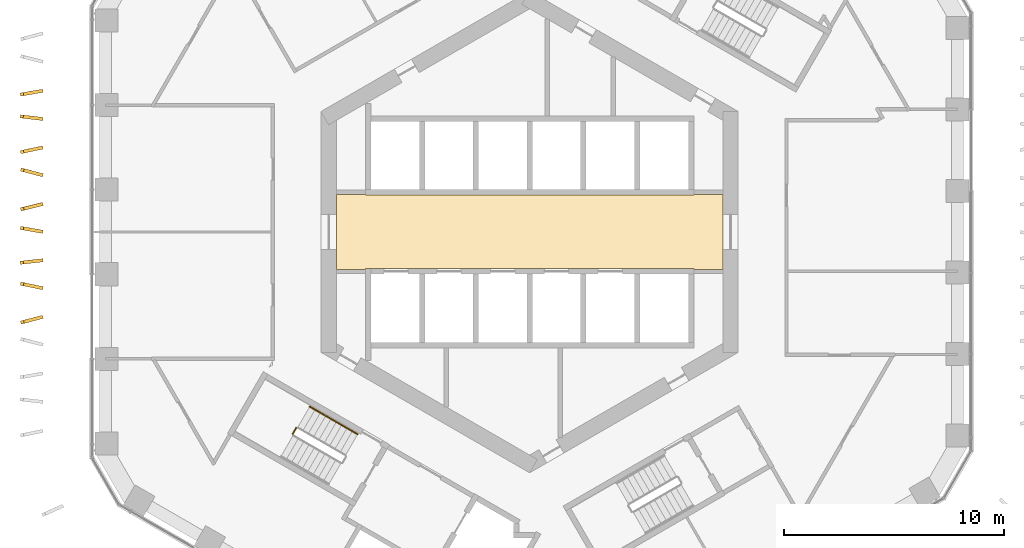
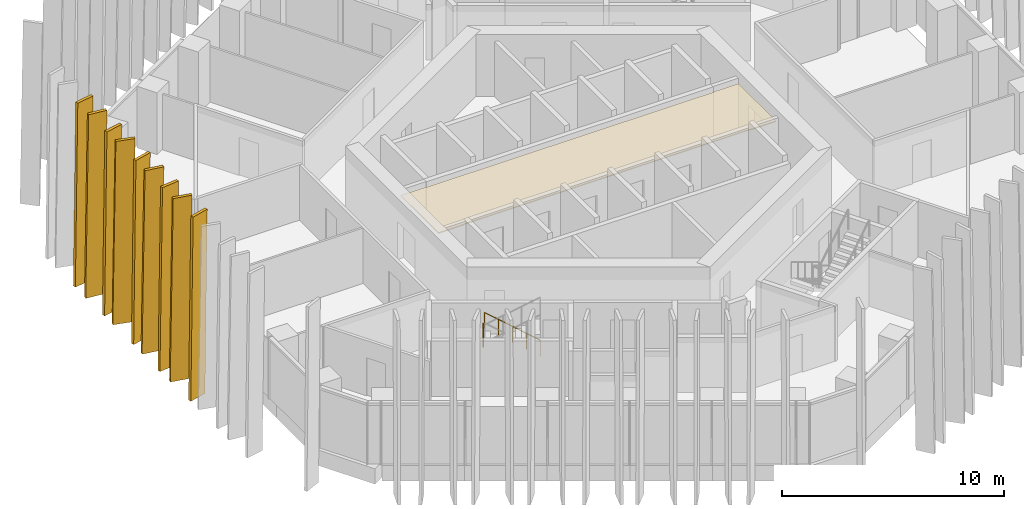
# One storey, part 17 of 19: 9 shading devices, 3 railings, 1 covering.
"""IFC4 building model written with IfcOpenShell, lengths in metres."""

from ifc_helpers import new_model, si_unit, direction, frame, origin, origin_2d, place, context, subcontext, project, spatial, polyline, circle, outline, extrude, material, layer, layer_set, type_object, element, save


model = new_model("IFC4")

# Units and contexts
model_context = context("Model", 3, precision=1e-05, world=origin(), true_north=direction((0.0, 1.0)))
body_context = subcontext(model_context, "Body", "Model", "MODEL_VIEW")
ifc_project = project(units=[si_unit("LENGTHUNIT", "METRE"), si_unit("AREAUNIT", "SQUARE_METRE"), si_unit("VOLUMEUNIT", "CUBIC_METRE"), si_unit("PLANEANGLEUNIT", "RADIAN"), si_unit("MASSUNIT", "GRAM", prefix="KILO")], contexts=[model_context])

# Site, building, storey
site_placement = place(None, origin())
site = spatial("IfcSite", under=ifc_project, at=site_placement, CompositionType="ELEMENT")
building_placement = place(site_placement, origin())
building = spatial("IfcBuilding", under=site, at=building_placement, Name="Ayvan Gate Tower", CompositionType="ELEMENT")
storey_placement = place(building_placement, frame((0.0, 0.0, 93.300048828125)))
storey = spatial("IfcBuildingStorey", under=building, at=storey_placement, Name="L24", CompositionType="ELEMENT", Elevation=93.300048828125)

# Shading devices
ifc_material_1 = material(Name="Bronze anodised aluminium", Category="aluminium")
ifc_layer_1 = layer(ifc_material_1, 0.14990234375)
ifc_layer_set_1 = layer_set([ifc_layer_1], Name="Bronze anodised aluminium")
shading_device_type = type_object("IfcShadingDeviceType", Name="Bronze fin 900 x 150", PredefinedType="USERDEFINED", material=ifc_layer_set_1)
shading_device_1_placement = place(storey_placement, frame((-22.316162109375, 6.480712890625, 0.0), z_axis=(-0.170356557047, 0.985382473685, 0.000155003476), x_axis=(-0.985382485522, -0.170356559093, -3.581e-09)))
element("IfcShadingDevice", 1, at=shading_device_1_placement, inside=storey, type_object=shading_device_type, Name="Bronze fin FG08.3.19", ObjectType="FIN", PredefinedType="USERDEFINED", context=body_context, shape_type="SweptSolid", body=[
    extrude(outline(polyline([(0.0, 0.0), (0.9001168186066193, 3.3881317890172014e-21), (0.7576794115002615, 10.079834108177735), (-0.14219683521047832, 10.079834101731853), (0.0, 0.0)])), origin(), (0.0, 0.0, -1.0), 0.14990234375),
])
shading_device_2_placement = place(storey_placement, frame((-22.296142578125, 5.235107421875, 0.0), z_axis=(0.115550647644, 0.993301576698, 0.000159868523), x_axis=(-0.993301589392, 0.115550649121, 0.0)))
element("IfcShadingDevice", 2, at=shading_device_2_placement, inside=storey, type_object=shading_device_type, Name="Bronze fin FG08.3.20", ObjectType="FIN", PredefinedType="USERDEFINED", context=body_context, shape_type="SweptSolid", body=[
    extrude(outline(polyline([(0.0, 0.0), (0.9000720207219933, 0.0), (0.7575738839317975, 10.07983411318492), (-0.14249813679019588, 10.07983411318492), (0.0, 0.0)])), origin(), (0.0, 0.0, -1.0), 0.14990234375),
])
shading_device_3_placement = place(storey_placement, frame((-22.31787109375, 3.892822265625, 0.0), z_axis=(-0.208074509741, 0.978112965935, 0.000155777635), x_axis=(-0.978112977802, -0.208074512266, 4.397e-09)))
element("IfcShadingDevice", 3, at=shading_device_3_placement, inside=storey, type_object=shading_device_type, Name="Bronze fin FG08.3.21", ObjectType="FIN", PredefinedType="USERDEFINED", context=body_context, shape_type="SweptSolid", body=[
    extrude(outline(polyline([(0.0, 0.0), (0.8998267665735556, -3.3881317890172014e-21), (0.7576317231924637, 10.079834103345563), (-0.142433840494813, 10.07983411126003), (0.0, 0.0)])), origin(), (0.0, 0.0, -1.0), 0.14990234375),
])
shading_device_4_placement = place(storey_placement, frame((-22.281005859375, 2.6875, 0.0), z_axis=(0.256235549399, 0.966614359458, 0.00015269102), x_axis=(-0.966614370727, 0.256235552383, 2.0021e-08)))
element("IfcShadingDevice", 4, at=shading_device_4_placement, inside=storey, type_object=shading_device_type, Name="Bronze fin FG08.3.22", ObjectType="FIN", PredefinedType="USERDEFINED", context=body_context, shape_type="SweptSolid", body=[
    extrude(outline(polyline([(0.0, 0.0), (0.8998860752802869, -6.776263578034403e-21), (0.7575635751938682, 10.079834086711086), (-0.14238505759432463, 10.079834122745867), (0.0, 0.0)])), origin(), (0.0, 0.0, -1.0), 0.14990234375),
])
shading_device_5_placement = place(storey_placement, frame((-22.319091796875, 1.31591796875, 0.0), z_axis=(-0.242790931541, 0.97007862703, 0.000144707919), x_axis=(-0.970078637187, -0.242790934083, 0.0)))
element("IfcShadingDevice", 5, at=shading_device_5_placement, inside=storey, type_object=shading_device_type, Name="Bronze fin FG08.3.23", ObjectType="FIN", PredefinedType="USERDEFINED", context=body_context, shape_type="SweptSolid", body=[
    extrude(outline(polyline([(0.0, 0.0), (0.8999753644008668, 0.0), (0.7573913231514399, 10.079834089912788), (-0.1425840412494269, 10.079834089912788), (0.0, 0.0)])), origin(), (0.0, 0.0, -1.0), 0.14990234375),
])
shading_device_6_placement = place(storey_placement, frame((-22.29052734375, 0.103759765625, 0.0), z_axis=(0.172663272719, 0.984980900615, 0.00014028017), x_axis=(-0.984980910306, 0.17266327442, -1.8741e-08)))
element("IfcShadingDevice", 6, at=shading_device_6_placement, inside=storey, type_object=shading_device_type, Name="Bronze fin FG08.3.24", ObjectType="FIN", PredefinedType="USERDEFINED", context=body_context, shape_type="SweptSolid", body=[
    extrude(outline(polyline([(0.0, 0.0), (0.9000127419739711, -6.776263578034403e-21), (0.7574700694580768, 10.079834097748652), (-0.14250051839616287, 10.079834064015728), (0.0, 0.0)])), origin(), (0.0, 0.0, -1.0), 0.14990234375),
])
shading_device_7_placement = place(storey_placement, frame((-22.313232421875, -1.230224609375, 0.0), z_axis=(-0.112039218814, 0.993703773647, 0.000153903753), x_axis=(-0.993703785416, -0.112039220141, 0.0)))
element("IfcShadingDevice", 7, at=shading_device_7_placement, inside=storey, type_object=shading_device_type, Name="Bronze fin FG08.3.25", ObjectType="FIN", PredefinedType="USERDEFINED", context=body_context, shape_type="SweptSolid", body=[
    extrude(outline(polyline([(0.0, 0.0), (0.8999534091546, -3.3881317890172014e-21), (0.7576295542889676, 10.079834103752317), (-0.14232385486563234, 10.079834103752317), (0.0, 0.0)])), origin(), (0.0, 0.0, -1.0), 0.14990234375),
])
shading_device_8_placement = place(storey_placement, frame((-22.286865234375, -2.46142578125, 0.0), z_axis=(0.205600362204, 0.978636024842, 0.000148132164), x_axis=(-0.978636035579, 0.205600364459, 0.0)))
element("IfcShadingDevice", 8, at=shading_device_8_placement, inside=storey, type_object=shading_device_type, Name="Bronze fin FG08.3.26", ObjectType="FIN", PredefinedType="USERDEFINED", context=body_context, shape_type="SweptSolid", body=[
    extrude(outline(polyline([(0.0, 0.0), (0.9000888409741108, 0.0), (0.7575770767646322, 10.079834094966598), (-0.1425117642094786, 10.079834094966598), (0.0, 0.0)])), origin(), (0.0, 0.0, -1.0), 0.14990234375),
])
shading_device_9_placement = place(storey_placement, frame((-22.3193359375, -3.827392578125, 0.0), z_axis=(-0.255407866567, 0.966833389746, 0.000134784634), x_axis=(-0.966833398529, -0.255407868885, -1.7676e-08)))
element("IfcShadingDevice", 9, at=shading_device_9_placement, inside=storey, type_object=shading_device_type, Name="Bronze fin FG08.3.27", ObjectType="FIN", PredefinedType="USERDEFINED", context=body_context, shape_type="SweptSolid", body=[
    extrude(outline(polyline([(0.0, 0.0), (0.8999348234812101, -3.3881317890172014e-21), (0.7576533475973218, 10.079834089327154), (-0.1423438313206279, 10.079834057511041), (0.0, 0.0)])), origin(), (0.0, 0.0, -1.0), 0.14990234375),
])

# Covering
ifc_material_2 = material(Name="Plasterboard suspended ceiling")
ifc_layer_2 = layer(ifc_material_2, 0.050048828125)
ifc_layer_set_2 = layer_set([ifc_layer_2], Name="Plasterboard suspended ceiling")
covering_type = type_object("IfcCoveringType", Name="CT-SUSP-50", PredefinedType="CEILING", material=ifc_layer_set_2)
covering_placement = place(storey_placement, frame((0.0, 0.0, 2.699951171875)))
element("IfcCovering", 10, at=covering_placement, inside=storey, type_object=covering_type, Name="Ceiling Lift Lobby L24", PredefinedType="CEILING", context=body_context, shape_type="SweptSolid", body=[
    extrude(outline(polyline([(7.47509765625, -1.675048828125), (-7.47509765625, -1.675048828125), (-7.47509765625, -1.699951171875), (-8.800048828125, -1.699951171875), (-8.800048828125, 1.699951171875), (-7.47509765625, 1.699951171875), (-7.47509765625, 1.675048828125), (7.47509765625, 1.675048828125), (7.47509765625, 1.699951171875), (8.800048828125, 1.699951171875), (8.800048828125, -1.699951171875), (7.47509765625, -1.699951171875), (7.47509765625, -1.675048828125)])), origin(), (0.0, 0.0, 1.0), 0.050048828125),
])

# Railings
ifc_material_3 = material(Name="Stainless steel balustrade", Category="steel")
railing_type_1 = type_object("IfcRailingType", Name="RL-GUARD-1100", PredefinedType="GUARDRAIL", material=ifc_material_3)
railing_1_placement = place(storey_placement, frame((-10.6318359375, -8.9248046875, 1.699951171875)))
element("IfcRailing", 11, at=railing_1_placement, inside=storey, type_object=railing_type_1, Name="L24 STS2 stair guard 2", PredefinedType="GUARDRAIL", context=body_context, shape_type="SweptSolid", body=[
    extrude(circle(Radius=0.02392578125, at=origin_2d()), frame((0.0, 0.0, 1.076171875), z_axis=(-0.499949632511, -0.866054481515, 0.0), x_axis=(0.866054481515, -0.499949632511, 0.0)), (0.0, 0.0, 1.0), 0.31005859375),
    extrude(circle(Radius=0.02099609375, at=origin_2d()), origin(), (0.0, 0.0, 1.0), 1.052001953125),
    extrude(circle(Radius=0.02099609375, at=origin_2d()), frame((-0.155029296875, -0.2685546875, 0.0)), (0.0, 0.0, 1.0), 1.052001953125),
])
railing_type_2 = type_object("IfcRailingType", Name="RL-HANDRAIL-900", PredefinedType="HANDRAIL", material=ifc_material_3)
railing_2_placement = place(storey_placement, frame((-7.8310546875, -9.2138671875, 0.169921875)))
element("IfcRailing", 12, at=railing_2_placement, inside=storey, type_object=railing_type_2, Name="L24 STS2 stair handrail 1", PredefinedType="HANDRAIL", context=body_context, shape_type="SweptSolid", body=[
    extrude(circle(Radius=0.02392578125, at=origin_2d()), frame((0.0, 0.0, 0.8759765625), z_axis=(-0.740292964666, 0.42728318766, 0.519033143459), x_axis=(-0.499890179513, -0.866088799389, 0.0)), (0.0, 0.0, 1.0), 1.47412109375),
    extrude(circle(Radius=0.02099609375, at=origin_2d()), origin(), (0.0, 0.0, 1.0), 0.851806640625),
    extrude(circle(Radius=0.02099609375, at=origin_2d()), frame((-0.545654296875, 0.31494140625, 0.382568359375)), (0.0, 0.0, 1.0), 0.851806640625),
    extrude(circle(Radius=0.02099609375, at=origin_2d()), frame((-1.09130859375, 0.6298828125, 0.76513671875)), (0.0, 0.0, 1.0), 0.851806640625),
])
railing_3_placement = place(storey_placement, frame((-8.92236328125, -8.583984375, 0.93505859375)))
element("IfcRailing", 13, at=railing_3_placement, inside=storey, type_object=railing_type_2, Name="L24 STS2 stair handrail 2", PredefinedType="HANDRAIL", context=body_context, shape_type="SweptSolid", body=[
    extrude(circle(Radius=0.02392578125, at=origin_2d()), frame((0.0, 0.0, 0.8759765625), z_axis=(-0.740229329464, 0.427507697325, 0.518939021976), x_axis=(-0.50011940292, -0.865956455501, 0.0)), (0.0, 0.0, 1.0), 1.473876953125),
    extrude(circle(Radius=0.02099609375, at=origin_2d()), origin(), (0.0, 0.0, 1.0), 0.851806640625),
    extrude(circle(Radius=0.02099609375, at=origin_2d()), frame((-0.54541015625, 0.31494140625, 0.38232421875)), (0.0, 0.0, 1.0), 0.851806640625),
    extrude(circle(Radius=0.02099609375, at=origin_2d()), frame((-1.091064453125, 0.630126953125, 0.764892578125)), (0.0, 0.0, 1.0), 0.851806640625),
])

save(model, "model.ifc")
